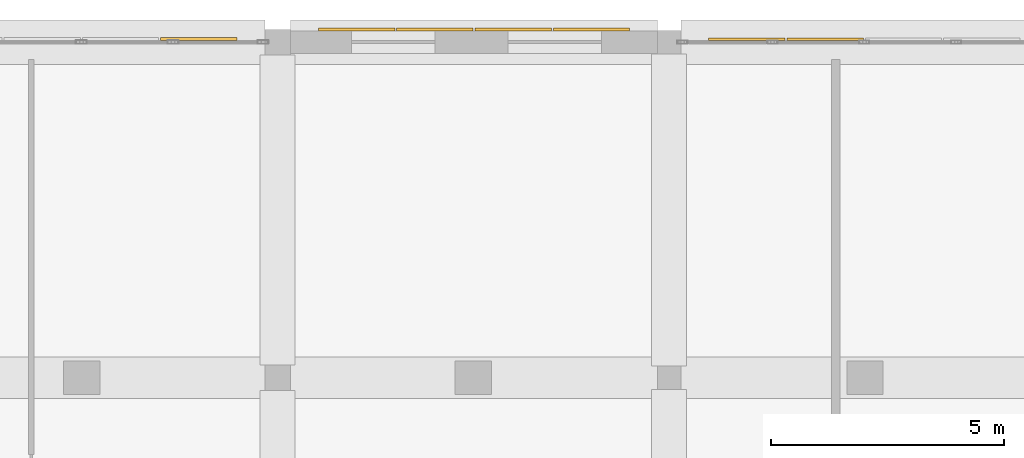
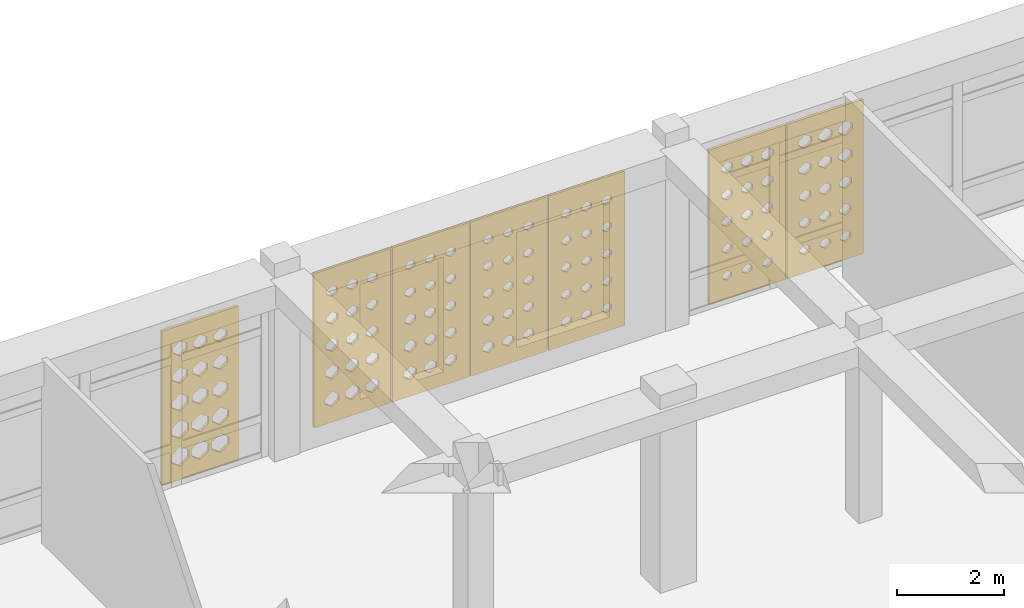
# One storey, part 113 of 121: 7 coverings.
"""IFC4 building model written with IfcOpenShell, lengths in metres."""

from ifc_helpers import new_model, si_unit, derived_unit, direction, frame, origin, place, context, subcontext, project, spatial, polyline, outline, extrude, material, layer, layer_set, type_object, element, save


model = new_model("IFC4")

# Units and contexts
model_context = context("Model", 3, precision=1e-05, world=origin(), true_north=direction((0.0, 1.0)))
body_context = subcontext(model_context, "Body", "Model", "MODEL_VIEW")
ifc_project = project(units=[si_unit("LENGTHUNIT", "METRE"), si_unit("AREAUNIT", "SQUARE_METRE"), si_unit("VOLUMEUNIT", "CUBIC_METRE"), si_unit("PLANEANGLEUNIT", "RADIAN"), si_unit("MASSUNIT", "GRAM", prefix="KILO"), derived_unit("THERMALTRANSMITTANCEUNIT", [(si_unit("POWERUNIT", "WATT"), 1), (si_unit("LENGTHUNIT", "METRE"), -2), (si_unit("THERMODYNAMICTEMPERATUREUNIT", "KELVIN"), -1)])], contexts=[model_context])

# Site, building, storey
site_placement = place(None, origin())
site = spatial("IfcSite", under=ifc_project, at=site_placement, CompositionType="ELEMENT")
building_placement = place(site_placement, origin())
building = spatial("IfcBuilding", under=site, at=building_placement, Name="Veybourne Emporium", CompositionType="ELEMENT")
storey_placement = place(building_placement, frame((0.0, 0.0, 5.39990234375)))
storey = spatial("IfcBuildingStorey", under=building, at=storey_placement, Name="L01", CompositionType="ELEMENT", Elevation=5.39990234375)

# Coverings
ifc_material = material(Name="Warm-White Perforated Aluminium Screen Alloy", Category="aluminium")
ifc_layer_1 = layer(ifc_material, 0.06005859375)
ifc_layer_set_1 = layer_set([ifc_layer_1], Name="Warm-White Perforated Aluminium Screen Alloy")
covering_type_1 = type_object("IfcCoveringType", Name="WaveScreen_SCR-01", PredefinedType="CLADDING", material=ifc_layer_set_1)
covering_1_placement = place(storey_placement, frame((72.25244140625, 115.498046875, 1.815185546875), z_axis=(0.0, -1.0, 0.0), x_axis=(1.0, 0.0, 0.0)))
element("IfcCovering", 1, at=covering_1_placement, inside=storey, type_object=covering_type_1, Name="L01 wave-perforated aluminium screen SCR-01 (40.3)", PredefinedType="CLADDING", context=body_context, shape_type="SweptSolid", body=[
    extrude(outline(polyline([(-0.81982421875, -1.7548828125), (0.81982421875, -1.7548828125), (0.81982421875, 1.7548828125), (-0.81982421875, 1.7548828125), (-0.81982421875, -1.7548828125)]), holes=[polyline([(-0.433349609375, -1.096435546875), (-0.315673828125, -1.1806640625), (-0.315673828125, -1.275390625), (-0.433349609375, -1.359619140625), (-0.551025390625, -1.275390625), (-0.551025390625, -1.1806640625), (-0.433349609375, -1.096435546875)]), polyline([(-0.433349609375, -0.490966796875), (-0.32275390625, -0.569580078125), (-0.32275390625, -0.658203125), (-0.433349609375, -0.737060546875), (-0.5439453125, -0.658203125), (-0.5439453125, -0.569580078125), (-0.433349609375, -0.490966796875)]), polyline([(-0.433349609375, 0.116455078125), (-0.328125, 0.0419921875), (-0.328125, -0.0419921875), (-0.433349609375, -0.116455078125), (-0.53857421875, -0.0419921875), (-0.53857421875, 0.0419921875), (-0.433349609375, 0.116455078125)]), polyline([(-0.433349609375, 0.72607421875), (-0.33154296875, 0.654296875), (-0.33154296875, 0.57373046875), (-0.433349609375, 0.501953125), (-0.534912109375, 0.57373046875), (-0.534912109375, 0.654296875), (-0.433349609375, 0.72607421875)]), polyline([(-0.433349609375, 1.338134765625), (-0.333251953125, 1.267578125), (-0.333251953125, 1.1884765625), (-0.433349609375, 1.117919921875), (-0.533447265625, 1.1884765625), (-0.533447265625, 1.267578125), (-0.433349609375, 1.338134765625)]), polyline([(0.0, -1.1005859375), (0.1142578125, -1.18212890625), (0.1142578125, -1.27392578125), (0.0, -1.35546875), (-0.1142578125, -1.27392578125), (-0.1142578125, -1.18212890625), (0.0, -1.1005859375)]), polyline([(0.0, -0.494384765625), (0.10791015625, -0.57080078125), (0.10791015625, -0.656982421875), (0.0, -0.733642578125), (-0.10791015625, -0.656982421875), (-0.10791015625, -0.57080078125), (0.0, -0.494384765625)]), polyline([(0.0, 0.114013671875), (0.103515625, 0.041015625), (0.103515625, -0.041015625), (0.0, -0.114013671875), (-0.103515625, -0.041015625), (-0.103515625, 0.041015625), (0.0, 0.114013671875)]), polyline([(0.0, 0.724853515625), (0.1005859375, 0.65380859375), (0.1005859375, 0.57421875), (0.0, 0.503173828125), (-0.1005859375, 0.57421875), (-0.1005859375, 0.65380859375), (0.0, 0.724853515625)]), polyline([(0.0, 1.337890625), (0.10009765625, 1.267578125), (0.10009765625, 1.1884765625), (0.0, 1.117919921875), (-0.10009765625, 1.1884765625), (-0.10009765625, 1.267578125), (0.0, 1.337890625)]), polyline([(0.433349609375, -1.104248046875), (0.54443359375, -1.18359375), (0.54443359375, -1.2724609375), (0.433349609375, -1.351806640625), (0.322021484375, -1.2724609375), (0.322021484375, -1.18359375), (0.433349609375, -1.104248046875)]), polyline([(0.433349609375, -0.4970703125), (0.5390625, -0.572021484375), (0.5390625, -0.656005859375), (0.433349609375, -0.73095703125), (0.32763671875, -0.656005859375), (0.32763671875, -0.572021484375), (0.433349609375, -0.4970703125)]), polyline([(0.433349609375, 0.1123046875), (0.535400390625, 0.04052734375), (0.535400390625, -0.04052734375), (0.433349609375, -0.1123046875), (0.331298828125, -0.04052734375), (0.331298828125, 0.04052734375), (0.433349609375, 0.1123046875)]), polyline([(0.433349609375, 0.72412109375), (0.533447265625, 0.65380859375), (0.533447265625, 0.57421875), (0.433349609375, 0.50390625), (0.333251953125, 0.57421875), (0.333251953125, 0.65380859375), (0.433349609375, 0.72412109375)]), polyline([(0.433349609375, 1.33837890625), (0.53369140625, 1.267822265625), (0.53369140625, 1.188232421875), (0.433349609375, 1.11767578125), (0.3330078125, 1.188232421875), (0.3330078125, 1.267822265625), (0.433349609375, 1.33837890625)])]), origin(), (0.0, 0.0, 1.0), 0.06005859375),
])
covering_2_placement = place(storey_placement, frame((77.267578125, 115.29296875, 1.815185546875), z_axis=(0.0, -1.0, 0.0), x_axis=(1.0, 0.0, 0.0)))
element("IfcCovering", 2, at=covering_2_placement, inside=storey, type_object=covering_type_1, Name="L01 wave-perforated aluminium screen SCR-01 (42C.1)", PredefinedType="CLADDING", context=body_context, shape_type="SweptSolid", body=[
    extrude(outline(polyline([(-0.81982421875, -1.7548828125), (0.81982421875, -1.7548828125), (0.81982421875, 1.7548828125), (-0.81982421875, 1.7548828125), (-0.81982421875, -1.7548828125)]), holes=[polyline([(-0.433349609375, -1.117431640625), (-0.332763671875, -1.188232421875), (-0.332763671875, -1.267822265625), (-0.433349609375, -1.338623046875), (-0.533935546875, -1.267822265625), (-0.533935546875, -1.188232421875), (-0.433349609375, -1.117431640625)]), polyline([(-0.433349609375, -0.50048828125), (-0.330322265625, -0.572998046875), (-0.330322265625, -0.65478515625), (-0.433349609375, -0.7275390625), (-0.536376953125, -0.65478515625), (-0.536376953125, -0.572998046875), (-0.433349609375, -0.50048828125)]), polyline([(-0.433349609375, 0.118896484375), (-0.325927734375, 0.042724609375), (-0.325927734375, -0.042724609375), (-0.433349609375, -0.118896484375), (-0.54052734375, -0.042724609375), (-0.54052734375, 0.042724609375), (-0.433349609375, 0.118896484375)]), polyline([(-0.433349609375, 0.740478515625), (-0.31982421875, 0.659423828125), (-0.31982421875, 0.568603515625), (-0.433349609375, 0.487548828125), (-0.546630859375, 0.568603515625), (-0.546630859375, 0.659423828125), (-0.433349609375, 0.740478515625)]), polyline([(-0.433349609375, 1.36376953125), (-0.312255859375, 1.27685546875), (-0.312255859375, 1.17919921875), (-0.433349609375, 1.09228515625), (-0.554443359375, 1.17919921875), (-0.554443359375, 1.27685546875), (-0.433349609375, 1.36376953125)]), polyline([(0.0, -1.1162109375), (0.101318359375, -1.187744140625), (0.101318359375, -1.268310546875), (0.0, -1.339599609375), (-0.101318359375, -1.268310546875), (-0.101318359375, -1.187744140625), (0.0, -1.1162109375)]), polyline([(0.0, -0.498291015625), (0.104736328125, -0.572265625), (0.104736328125, -0.65576171875), (0.0, -0.729736328125), (-0.104736328125, -0.65576171875), (-0.104736328125, -0.572265625), (0.0, -0.498291015625)]), polyline([(0.0, 0.1220703125), (0.10986328125, 0.0439453125), (0.10986328125, -0.0439453125), (0.0, -0.1220703125), (-0.10986328125, -0.0439453125), (-0.10986328125, 0.0439453125), (0.0, 0.1220703125)]), polyline([(0.0, 0.744384765625), (0.11669921875, 0.660888671875), (0.11669921875, 0.56689453125), (0.0, 0.483642578125), (-0.11669921875, 0.56689453125), (-0.11669921875, 0.660888671875), (0.0, 0.744384765625)]), polyline([(0.0, 1.36865234375), (0.125, 1.278564453125), (0.125, 1.177490234375), (0.0, 1.08740234375), (-0.125, 1.177490234375), (-0.125, 1.278564453125), (0.0, 1.36865234375)]), polyline([(0.433349609375, -1.11474609375), (0.535888671875, -1.187255859375), (0.535888671875, -1.268798828125), (0.433349609375, -1.34130859375), (0.330810546875, -1.268798828125), (0.330810546875, -1.187255859375), (0.433349609375, -1.11474609375)]), polyline([(0.433349609375, -0.49560546875), (0.540283203125, -0.5712890625), (0.540283203125, -0.656494140625), (0.433349609375, -0.732421875), (0.326416015625, -0.656494140625), (0.326416015625, -0.5712890625), (0.433349609375, -0.49560546875)]), polyline([(0.433349609375, 0.12548828125), (0.546142578125, 0.045166015625), (0.546142578125, -0.045166015625), (0.433349609375, -0.12548828125), (0.320556640625, -0.045166015625), (0.320556640625, 0.045166015625), (0.433349609375, 0.12548828125)]), polyline([(0.433349609375, 0.748779296875), (0.5537109375, 0.66259765625), (0.5537109375, 0.5654296875), (0.433349609375, 0.47900390625), (0.31298828125, 0.5654296875), (0.31298828125, 0.66259765625), (0.433349609375, 0.748779296875)]), polyline([(0.433349609375, 1.373779296875), (0.5625, 1.280517578125), (0.5625, 1.175537109375), (0.433349609375, 1.082275390625), (0.303955078125, 1.175537109375), (0.303955078125, 1.280517578125), (0.433349609375, 1.373779296875)])]), origin(), (0.0, 0.0, 1.0), 0.06005859375),
])
ifc_layer_2 = layer(ifc_material, 0.06005859375)
ifc_layer_set_2 = layer_set([ifc_layer_2], Name="Warm-White Perforated Aluminium Screen Alloy")
covering_type_2 = type_object("IfcCoveringType", Name="WaveScreen_SCR-02", PredefinedType="CLADDING", material=ifc_layer_set_2)
covering_3_placement = place(storey_placement, frame((65.507568359375, 115.297119140625, 1.815185546875), z_axis=(0.0, -1.0, 0.0), x_axis=(1.0, 0.0, 0.0)))
element("IfcCovering", 3, at=covering_3_placement, inside=storey, type_object=covering_type_2, Name="L01 wave-perforated aluminium screen SCR-02 (36C.4)", PredefinedType="CLADDING", context=body_context, shape_type="SweptSolid", body=[
    extrude(outline(polyline([(-0.81982421875, -1.7548828125), (0.81982421875, -1.7548828125), (0.81982421875, 1.7548828125), (-0.81982421875, 1.7548828125), (-0.81982421875, -1.7548828125)]), holes=[polyline([(-0.433349609375, -1.001953125), (-0.2470703125, -1.146484375), (-0.2470703125, -1.309326171875), (-0.433349609375, -1.4541015625), (-0.61962890625, -1.309326171875), (-0.61962890625, -1.146484375), (-0.433349609375, -1.001953125)]), polyline([(-0.433349609375, -0.4013671875), (-0.249267578125, -0.537353515625), (-0.249267578125, -0.690673828125), (-0.433349609375, -0.82666015625), (-0.617431640625, -0.690673828125), (-0.617431640625, -0.537353515625), (-0.433349609375, -0.4013671875)]), polyline([(-0.433349609375, 0.19873046875), (-0.2607421875, 0.071533203125), (-0.2607421875, -0.071533203125), (-0.433349609375, -0.19873046875), (-0.60595703125, -0.071533203125), (-0.60595703125, 0.071533203125), (-0.433349609375, 0.19873046875)]), polyline([(-0.433349609375, 0.798583984375), (-0.272216796875, 0.680419921875), (-0.272216796875, 0.547607421875), (-0.433349609375, 0.429443359375), (-0.594482421875, 0.547607421875), (-0.594482421875, 0.680419921875), (-0.433349609375, 0.798583984375)]), polyline([(-0.433349609375, 1.398681640625), (-0.28369140625, 1.289306640625), (-0.28369140625, 1.16650390625), (-0.433349609375, 1.057373046875), (-0.5830078125, 1.16650390625), (-0.5830078125, 1.289306640625), (-0.433349609375, 1.398681640625)]), polyline([(0.0, -1.0078125), (0.186279296875, -1.148681640625), (0.186279296875, -1.307373046875), (0.0, -1.447998046875), (-0.186279296875, -1.307373046875), (-0.186279296875, -1.148681640625), (0.0, -1.0078125)]), polyline([(0.0, -0.40771484375), (0.178955078125, -0.539794921875), (0.178955078125, -0.688232421875), (0.0, -0.8203125), (-0.178955078125, -0.688232421875), (-0.178955078125, -0.539794921875), (0.0, -0.40771484375)]), polyline([(0.0, 0.1923828125), (0.16748046875, 0.069091796875), (0.16748046875, -0.069091796875), (0.0, -0.1923828125), (-0.16748046875, -0.069091796875), (-0.16748046875, 0.069091796875), (0.0, 0.1923828125)]), polyline([(0.0, 0.792236328125), (0.15576171875, 0.67822265625), (0.15576171875, 0.5498046875), (0.0, 0.435791015625), (-0.15576171875, 0.5498046875), (-0.15576171875, 0.67822265625), (0.0, 0.792236328125)]), polyline([(0.0, 1.392578125), (0.14453125, 1.287109375), (0.14453125, 1.168701171875), (0.0, 1.0634765625), (-0.14453125, 1.168701171875), (-0.14453125, 1.287109375), (0.0, 1.392578125)]), polyline([(0.433349609375, -1.013916015625), (0.618408203125, -1.15087890625), (0.618408203125, -1.304931640625), (0.433349609375, -1.44189453125), (0.248291015625, -1.304931640625), (0.248291015625, -1.15087890625), (0.433349609375, -1.013916015625)]), polyline([(0.433349609375, -0.413818359375), (0.60693359375, -0.5419921875), (0.60693359375, -0.68603515625), (0.433349609375, -0.814208984375), (0.259521484375, -0.68603515625), (0.259521484375, -0.5419921875), (0.433349609375, -0.413818359375)]), polyline([(0.433349609375, 0.185791015625), (0.595458984375, 0.06689453125), (0.595458984375, -0.06689453125), (0.433349609375, -0.185791015625), (0.271240234375, -0.06689453125), (0.271240234375, 0.06689453125), (0.433349609375, 0.185791015625)]), polyline([(0.433349609375, 0.785888671875), (0.583984375, 0.67578125), (0.583984375, 0.552001953125), (0.433349609375, 0.442138671875), (0.28271484375, 0.552001953125), (0.28271484375, 0.67578125), (0.433349609375, 0.785888671875)]), polyline([(0.433349609375, 1.38671875), (0.572998046875, 1.28515625), (0.572998046875, 1.1708984375), (0.433349609375, 1.0693359375), (0.293701171875, 1.1708984375), (0.293701171875, 1.28515625), (0.433349609375, 1.38671875)])]), origin(), (0.0, 0.0, 1.0), 0.06005859375),
])
covering_4_placement = place(storey_placement, frame((73.9326171875, 115.498046875, 1.815185546875), z_axis=(0.0, -1.0, 0.0), x_axis=(1.0, 0.0, 0.0)))
element("IfcCovering", 4, at=covering_4_placement, inside=storey, type_object=covering_type_2, Name="L01 wave-perforated aluminium screen SCR-02 (40.4)", PredefinedType="CLADDING", context=body_context, shape_type="SweptSolid", body=[
    extrude(outline(polyline([(-0.81982421875, -1.7548828125), (0.81982421875, -1.7548828125), (0.81982421875, 1.7548828125), (-0.81982421875, 1.7548828125), (-0.81982421875, -1.7548828125)]), holes=[polyline([(-0.433349609375, -1.110107421875), (-0.326904296875, -1.185546875), (-0.326904296875, -1.2705078125), (-0.433349609375, -1.345703125), (-0.539794921875, -1.2705078125), (-0.539794921875, -1.185546875), (-0.433349609375, -1.110107421875)]), polyline([(-0.433349609375, -0.501220703125), (-0.3310546875, -0.573486328125), (-0.3310546875, -0.654541015625), (-0.433349609375, -0.726806640625), (-0.53564453125, -0.654541015625), (-0.53564453125, -0.573486328125), (-0.433349609375, -0.501220703125)]), polyline([(-0.433349609375, 0.1103515625), (-0.3330078125, 0.039794921875), (-0.3330078125, -0.039794921875), (-0.433349609375, -0.1103515625), (-0.53369140625, -0.039794921875), (-0.53369140625, 0.039794921875), (-0.433349609375, 0.1103515625)]), polyline([(-0.433349609375, 0.724365234375), (-0.3330078125, 0.65380859375), (-0.3330078125, 0.57421875), (-0.433349609375, 0.503662109375), (-0.533447265625, 0.57421875), (-0.533447265625, 0.65380859375), (-0.433349609375, 0.724365234375)]), polyline([(-0.433349609375, 1.340576171875), (-0.331298828125, 1.2685546875), (-0.331298828125, 1.1875), (-0.433349609375, 1.115478515625), (-0.535400390625, 1.1875), (-0.535400390625, 1.2685546875), (-0.433349609375, 1.340576171875)]), polyline([(0.0, -1.11279296875), (0.104248046875, -1.1865234375), (0.104248046875, -1.26953125), (0.0, -1.34326171875), (-0.104248046875, -1.26953125), (-0.104248046875, -1.1865234375), (0.0, -1.11279296875)]), polyline([(0.0, -0.50244140625), (0.101318359375, -0.573974609375), (0.101318359375, -0.654052734375), (0.0, -0.7255859375), (-0.101318359375, -0.654052734375), (-0.101318359375, -0.573974609375), (0.0, -0.50244140625)]), polyline([(0.0, 0.110107421875), (0.10009765625, 0.03955078125), (0.10009765625, -0.03955078125), (0.0, -0.110107421875), (-0.10009765625, -0.03955078125), (-0.10009765625, 0.03955078125), (0.0, 0.110107421875)]), polyline([(0.0, 0.72509765625), (0.100830078125, 0.654052734375), (0.100830078125, 0.573974609375), (0.0, 0.5029296875), (-0.100830078125, 0.573974609375), (-0.100830078125, 0.654052734375), (0.0, 0.72509765625)]), polyline([(0.0, 1.34228515625), (0.103515625, 1.269287109375), (0.103515625, 1.186767578125), (0.0, 1.113525390625), (-0.103515625, 1.186767578125), (-0.103515625, 1.269287109375), (0.0, 1.34228515625)]), polyline([(0.433349609375, -1.11474609375), (0.535888671875, -1.187255859375), (0.535888671875, -1.268798828125), (0.433349609375, -1.34130859375), (0.330810546875, -1.268798828125), (0.330810546875, -1.187255859375), (0.433349609375, -1.11474609375)]), polyline([(0.433349609375, -0.50341796875), (0.53369140625, -0.57421875), (0.53369140625, -0.65380859375), (0.433349609375, -0.724609375), (0.3330078125, -0.65380859375), (0.3330078125, -0.57421875), (0.433349609375, -0.50341796875)]), polyline([(0.433349609375, 0.110107421875), (0.533447265625, 0.039794921875), (0.533447265625, -0.039794921875), (0.433349609375, -0.110107421875), (0.333251953125, -0.039794921875), (0.333251953125, 0.039794921875), (0.433349609375, 0.110107421875)]), polyline([(0.433349609375, 0.726318359375), (0.53515625, 0.654296875), (0.53515625, 0.573486328125), (0.433349609375, 0.501708984375), (0.33154296875, 0.573486328125), (0.33154296875, 0.654296875), (0.433349609375, 0.726318359375)]), polyline([(0.433349609375, 1.3447265625), (0.538818359375, 1.27001953125), (0.538818359375, 1.18603515625), (0.433349609375, 1.111328125), (0.327880859375, 1.18603515625), (0.327880859375, 1.27001953125), (0.433349609375, 1.3447265625)])]), origin(), (0.0, 0.0, 1.0), 0.06005859375),
])
covering_5_placement = place(storey_placement, frame((78.947509765625, 115.29296875, 1.815185546875), z_axis=(0.0, -1.0, 0.0), x_axis=(1.0, 0.0, 0.0)))
element("IfcCovering", 5, at=covering_5_placement, inside=storey, type_object=covering_type_2, Name="L01 wave-perforated aluminium screen SCR-02 (42C.2)", PredefinedType="CLADDING", context=body_context, shape_type="SweptSolid", body=[
    extrude(outline(polyline([(-0.81982421875, -1.7548828125), (0.81982421875, -1.7548828125), (0.81982421875, 1.7548828125), (-0.81982421875, 1.7548828125), (-0.81982421875, -1.7548828125)]), holes=[polyline([(-0.433349609375, -1.110595703125), (-0.3271484375, -1.185791015625), (-0.3271484375, -1.270263671875), (-0.433349609375, -1.345458984375), (-0.539306640625, -1.270263671875), (-0.539306640625, -1.185791015625), (-0.433349609375, -1.110595703125)]), polyline([(-0.433349609375, -0.489501953125), (-0.321533203125, -0.569091796875), (-0.321533203125, -0.65869140625), (-0.433349609375, -0.73828125), (-0.545166015625, -0.65869140625), (-0.545166015625, -0.569091796875), (-0.433349609375, -0.489501953125)]), polyline([(-0.433349609375, 0.13330078125), (-0.314208984375, 0.048095703125), (-0.314208984375, -0.048095703125), (-0.433349609375, -0.13330078125), (-0.552490234375, -0.048095703125), (-0.552490234375, 0.048095703125), (-0.433349609375, 0.13330078125)]), polyline([(-0.433349609375, 0.758056640625), (-0.305419921875, 0.666015625), (-0.305419921875, 0.56201171875), (-0.433349609375, 0.469970703125), (-0.561279296875, 0.56201171875), (-0.561279296875, 0.666015625), (-0.433349609375, 0.758056640625)]), polyline([(-0.433349609375, 1.38427734375), (-0.29541015625, 1.2841796875), (-0.29541015625, 1.171875), (-0.433349609375, 1.07177734375), (-0.5712890625, 1.171875), (-0.5712890625, 1.2841796875), (-0.433349609375, 1.38427734375)]), polyline([(0.0, -1.107666015625), (0.1083984375, -1.184814453125), (0.1083984375, -1.271240234375), (0.0, -1.348388671875), (-0.1083984375, -1.271240234375), (-0.1083984375, -1.184814453125), (0.0, -1.107666015625)]), polyline([(0.0, -0.48583984375), (0.114990234375, -0.56787109375), (0.114990234375, -0.66015625), (0.0, -0.7421875), (-0.114990234375, -0.66015625), (-0.114990234375, -0.56787109375), (0.0, -0.48583984375)]), polyline([(0.0, 0.137939453125), (0.122802734375, 0.0498046875), (0.122802734375, -0.0498046875), (0.0, -0.137939453125), (-0.122802734375, -0.0498046875), (-0.122802734375, 0.0498046875), (0.0, 0.137939453125)]), polyline([(0.0, 0.763427734375), (0.13232421875, 0.667724609375), (0.13232421875, 0.560302734375), (0.0, 0.464599609375), (-0.13232421875, 0.560302734375), (-0.13232421875, 0.667724609375), (0.0, 0.763427734375)]), polyline([(0.0, 1.39013671875), (0.142578125, 1.286376953125), (0.142578125, 1.169677734375), (0.0, 1.06591796875), (-0.142578125, 1.169677734375), (-0.142578125, 1.286376953125), (0.0, 1.39013671875)]), polyline([(0.433349609375, -1.104248046875), (0.54443359375, -1.18359375), (0.54443359375, -1.2724609375), (0.433349609375, -1.351806640625), (0.322021484375, -1.2724609375), (0.322021484375, -1.18359375), (0.433349609375, -1.104248046875)]), polyline([(0.433349609375, -0.4814453125), (0.5517578125, -0.56640625), (0.5517578125, -0.66162109375), (0.433349609375, -0.74658203125), (0.31494140625, -0.66162109375), (0.31494140625, -0.56640625), (0.433349609375, -0.4814453125)]), polyline([(0.433349609375, 0.14306640625), (0.560302734375, 0.051513671875), (0.560302734375, -0.051513671875), (0.433349609375, -0.14306640625), (0.306396484375, -0.051513671875), (0.306396484375, 0.051513671875), (0.433349609375, 0.14306640625)]), polyline([(0.433349609375, 0.76904296875), (0.5703125, 0.669921875), (0.5703125, 0.55810546875), (0.433349609375, 0.458984375), (0.29638671875, 0.55810546875), (0.29638671875, 0.669921875), (0.433349609375, 0.76904296875)]), polyline([(0.433349609375, 1.396240234375), (0.580810546875, 1.28857421875), (0.580810546875, 1.16748046875), (0.433349609375, 1.059814453125), (0.28564453125, 1.16748046875), (0.28564453125, 1.28857421875), (0.433349609375, 1.396240234375)])]), origin(), (0.0, 0.0, 1.0), 0.06005859375),
])
ifc_layer_3 = layer(ifc_material, 0.06005859375)
ifc_layer_set_3 = layer_set([ifc_layer_3], Name="Warm-White Perforated Aluminium Screen Alloy")
covering_type_3 = type_object("IfcCoveringType", Name="WaveScreen_SCR-03", PredefinedType="CLADDING", material=ifc_layer_set_3)
covering_6_placement = place(storey_placement, frame((68.892578125, 115.498046875, 1.815185546875), z_axis=(0.0, -1.0, 0.0), x_axis=(1.0, 0.0, 0.0)))
element("IfcCovering", 6, at=covering_6_placement, inside=storey, type_object=covering_type_3, Name="L01 wave-perforated aluminium screen SCR-03 (40.1)", PredefinedType="CLADDING", context=body_context, shape_type="SweptSolid", body=[
    extrude(outline(polyline([(-0.81982421875, -1.7548828125), (0.81982421875, -1.7548828125), (0.81982421875, 1.7548828125), (-0.81982421875, 1.7548828125), (-0.81982421875, -1.7548828125)]), holes=[polyline([(-0.433349609375, -1.053955078125), (-0.281005859375, -1.165283203125), (-0.281005859375, -1.290771484375), (-0.433349609375, -1.402099609375), (-0.585693359375, -1.290771484375), (-0.585693359375, -1.165283203125), (-0.433349609375, -1.053955078125)]), polyline([(-0.433349609375, -0.453369140625), (-0.2919921875, -0.55615234375), (-0.2919921875, -0.671875), (-0.433349609375, -0.774658203125), (-0.57470703125, -0.671875), (-0.57470703125, -0.55615234375), (-0.433349609375, -0.453369140625)]), polyline([(-0.433349609375, 0.14794921875), (-0.30224609375, 0.05322265625), (-0.30224609375, -0.05322265625), (-0.433349609375, -0.14794921875), (-0.564453125, -0.05322265625), (-0.564453125, 0.05322265625), (-0.433349609375, 0.14794921875)]), polyline([(-0.433349609375, 0.750732421875), (-0.311279296875, 0.6630859375), (-0.311279296875, 0.564697265625), (-0.433349609375, 0.477294921875), (-0.55517578125, 0.564697265625), (-0.55517578125, 0.6630859375), (-0.433349609375, 0.750732421875)]), polyline([(-0.433349609375, 1.355224609375), (-0.3193359375, 1.273681640625), (-0.3193359375, 1.18212890625), (-0.433349609375, 1.100830078125), (-0.54736328125, 1.18212890625), (-0.54736328125, 1.273681640625), (-0.433349609375, 1.355224609375)]), polyline([(0.0, -1.060302734375), (0.147216796875, -1.16748046875), (0.147216796875, -1.288330078125), (0.0, -1.395751953125), (-0.147216796875, -1.288330078125), (-0.147216796875, -1.16748046875), (0.0, -1.060302734375)]), polyline([(0.0, -0.459228515625), (0.13671875, -0.558349609375), (0.13671875, -0.669677734375), (0.0, -0.768798828125), (-0.13671875, -0.669677734375), (-0.13671875, -0.558349609375), (0.0, -0.459228515625)]), polyline([(0.0, 0.142578125), (0.126708984375, 0.051513671875), (0.126708984375, -0.051513671875), (0.0, -0.142578125), (-0.126708984375, -0.051513671875), (-0.126708984375, 0.051513671875), (0.0, 0.142578125)]), polyline([(0.0, 0.74609375), (0.1181640625, 0.66162109375), (0.1181640625, 0.56640625), (0.0, 0.481689453125), (-0.1181640625, 0.56640625), (-0.1181640625, 0.66162109375), (0.0, 0.74609375)]), polyline([(0.0, 1.3515625), (0.111083984375, 1.2724609375), (0.111083984375, 1.18359375), (0.0, 1.1044921875), (-0.111083984375, 1.18359375), (-0.111083984375, 1.2724609375), (0.0, 1.3515625)]), polyline([(0.433349609375, -1.066162109375), (0.57568359375, -1.169921875), (0.57568359375, -1.2861328125), (0.433349609375, -1.389892578125), (0.291015625, -1.2861328125), (0.291015625, -1.169921875), (0.433349609375, -1.066162109375)]), polyline([(0.433349609375, -0.46484375), (0.565185546875, -0.560302734375), (0.565185546875, -0.667724609375), (0.433349609375, -0.76318359375), (0.30126953125, -0.667724609375), (0.30126953125, -0.560302734375), (0.433349609375, -0.46484375)]), polyline([(0.433349609375, 0.1376953125), (0.555908203125, 0.049560546875), (0.555908203125, -0.049560546875), (0.433349609375, -0.1376953125), (0.310546875, -0.049560546875), (0.310546875, 0.049560546875), (0.433349609375, 0.1376953125)]), polyline([(0.433349609375, 0.741943359375), (0.548095703125, 0.66015625), (0.548095703125, 0.56787109375), (0.433349609375, 0.486083984375), (0.318603515625, 0.56787109375), (0.318603515625, 0.66015625), (0.433349609375, 0.741943359375)]), polyline([(0.433349609375, 1.34814453125), (0.54150390625, 1.271240234375), (0.54150390625, 1.184814453125), (0.433349609375, 1.10791015625), (0.324951171875, 1.184814453125), (0.324951171875, 1.271240234375), (0.433349609375, 1.34814453125)])]), origin(), (0.0, 0.0, 1.0), 0.06005859375),
])
ifc_layer_4 = layer(ifc_material, 0.06005859375)
ifc_layer_set_4 = layer_set([ifc_layer_4], Name="Warm-White Perforated Aluminium Screen Alloy")
covering_type_4 = type_object("IfcCoveringType", Name="WaveScreen_SCR-04", PredefinedType="CLADDING", material=ifc_layer_set_4)
covering_7_placement = place(storey_placement, frame((70.572509765625, 115.498046875, 1.815185546875), z_axis=(0.0, -1.0, 0.0), x_axis=(1.0, 0.0, 0.0)))
element("IfcCovering", 7, at=covering_7_placement, inside=storey, type_object=covering_type_4, Name="L01 wave-perforated aluminium screen SCR-04 (40.2)", PredefinedType="CLADDING", context=body_context, shape_type="SweptSolid", body=[
    extrude(outline(polyline([(-0.81982421875, -1.7548828125), (0.81982421875, -1.7548828125), (0.81982421875, 1.7548828125), (-0.81982421875, 1.7548828125), (-0.81982421875, -1.7548828125)]), holes=[polyline([(-0.433349609375, -1.0771484375), (-0.2998046875, -1.173583984375), (-0.2998046875, -1.2822265625), (-0.433349609375, -1.37890625), (-0.56689453125, -1.2822265625), (-0.56689453125, -1.173583984375), (-0.433349609375, -1.0771484375)]), polyline([(-0.433349609375, -0.474609375), (-0.309326171875, -0.563720703125), (-0.309326171875, -0.664306640625), (-0.433349609375, -0.75341796875), (-0.557373046875, -0.664306640625), (-0.557373046875, -0.563720703125), (-0.433349609375, -0.474609375)]), polyline([(-0.433349609375, 0.12939453125), (-0.3173828125, 0.046630859375), (-0.3173828125, -0.046630859375), (-0.433349609375, -0.12939453125), (-0.54931640625, -0.046630859375), (-0.54931640625, 0.046630859375), (-0.433349609375, 0.12939453125)]), polyline([(-0.433349609375, 0.735107421875), (-0.32421875, 0.65771484375), (-0.32421875, 0.5703125), (-0.433349609375, 0.492919921875), (-0.54248046875, 0.5703125), (-0.54248046875, 0.65771484375), (-0.433349609375, 0.735107421875)]), polyline([(-0.433349609375, 1.343017578125), (-0.3291015625, 1.26953125), (-0.3291015625, 1.1865234375), (-0.433349609375, 1.11279296875), (-0.53759765625, 1.1865234375), (-0.53759765625, 1.26953125), (-0.433349609375, 1.343017578125)]), polyline([(0.0, -1.08251953125), (0.12890625, -1.175537109375), (0.12890625, -1.280517578125), (0.0, -1.37353515625), (-0.12890625, -1.280517578125), (-0.12890625, -1.175537109375), (0.0, -1.08251953125)]), polyline([(0.0, -0.4794921875), (0.1201171875, -0.5654296875), (0.1201171875, -0.66259765625), (0.0, -0.74853515625), (-0.1201171875, -0.66259765625), (-0.1201171875, -0.5654296875), (0.0, -0.4794921875)]), polyline([(0.0, 0.12548828125), (0.112548828125, 0.045166015625), (0.112548828125, -0.045166015625), (0.0, -0.12548828125), (-0.112548828125, -0.045166015625), (-0.112548828125, 0.045166015625), (0.0, 0.12548828125)]), polyline([(0.0, 0.732177734375), (0.106689453125, 0.656494140625), (0.106689453125, 0.571533203125), (0.0, 0.495849609375), (-0.106689453125, 0.571533203125), (-0.106689453125, 0.656494140625), (0.0, 0.732177734375)]), polyline([(0.0, 1.341064453125), (0.1025390625, 1.268798828125), (0.1025390625, 1.187255859375), (0.0, 1.114990234375), (-0.1025390625, 1.187255859375), (-0.1025390625, 1.268798828125), (0.0, 1.341064453125)]), polyline([(0.433349609375, -1.087646484375), (0.55810546875, -1.177490234375), (0.55810546875, -1.278564453125), (0.433349609375, -1.368408203125), (0.30859375, -1.278564453125), (0.30859375, -1.177490234375), (0.433349609375, -1.087646484375)]), polyline([(0.433349609375, -0.48388671875), (0.5498046875, -0.567138671875), (0.5498046875, -0.660888671875), (0.433349609375, -0.744140625), (0.31689453125, -0.660888671875), (0.31689453125, -0.567138671875), (0.433349609375, -0.48388671875)]), polyline([(0.433349609375, 0.121826171875), (0.54296875, 0.0439453125), (0.54296875, -0.0439453125), (0.433349609375, -0.121826171875), (0.323486328125, -0.0439453125), (0.323486328125, 0.0439453125), (0.433349609375, 0.121826171875)]), polyline([(0.433349609375, 0.7294921875), (0.537841796875, 0.655517578125), (0.537841796875, 0.572509765625), (0.433349609375, 0.498291015625), (0.32861328125, 0.572509765625), (0.32861328125, 0.655517578125), (0.433349609375, 0.7294921875)]), polyline([(0.433349609375, 1.339599609375), (0.53466796875, 1.268310546875), (0.53466796875, 1.187744140625), (0.433349609375, 1.116455078125), (0.33203125, 1.187744140625), (0.33203125, 1.268310546875), (0.433349609375, 1.339599609375)])]), origin(), (0.0, 0.0, 1.0), 0.06005859375),
])

save(model, "model.ifc")
